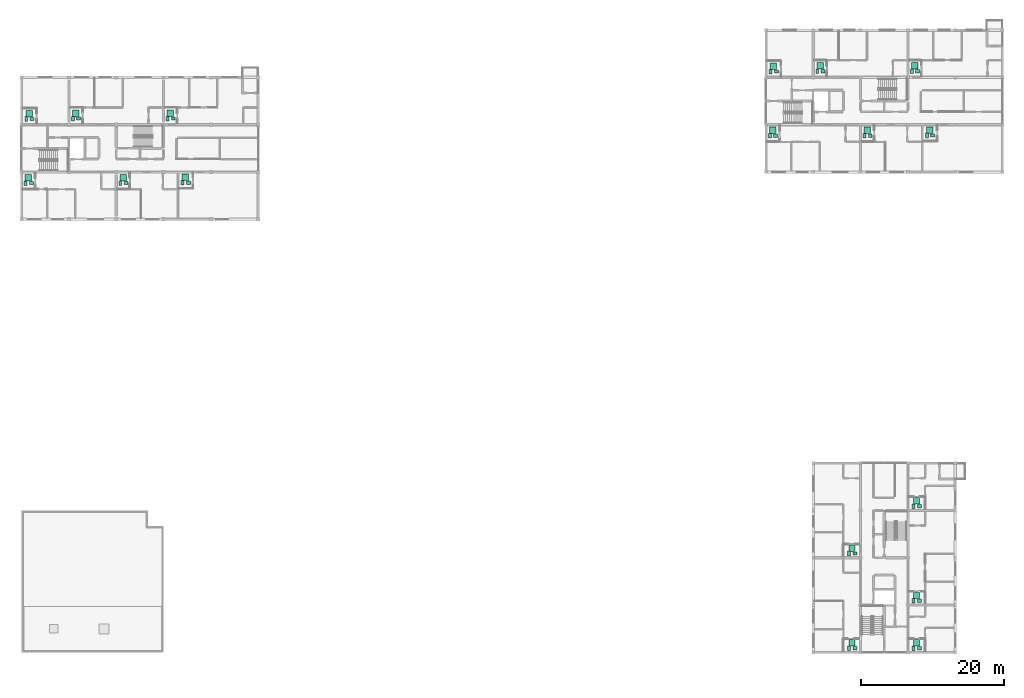
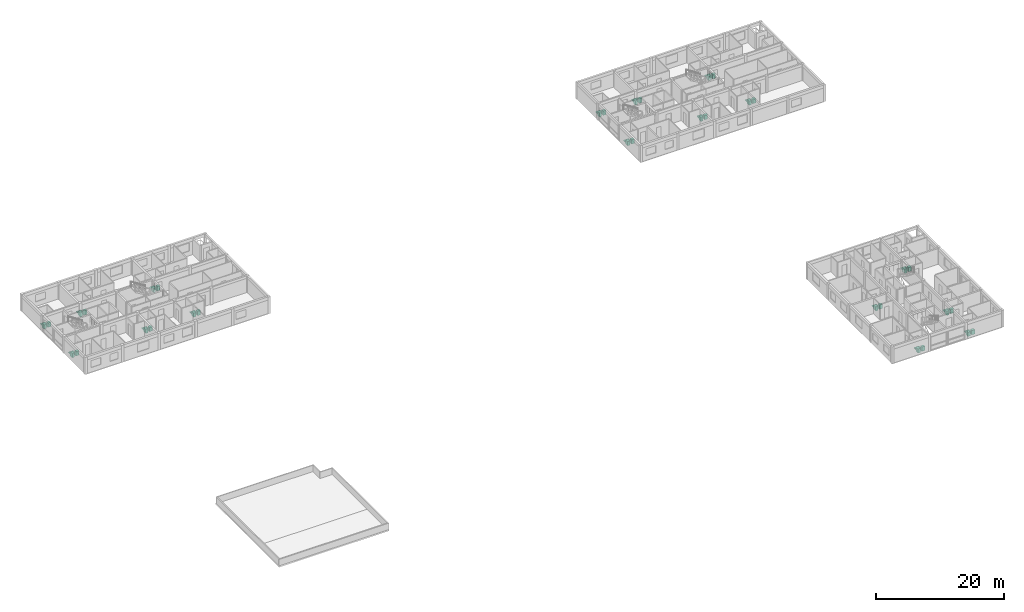
# One storey, part 34 of 34: 51 sanitary terminals.
"""IFC4 building model written with IfcOpenShell, lengths in metres."""

from ifc_helpers import new_model, si_unit, direction, frame, origin, origin_2d, place, context, subcontext, project, spatial, rectangle, extrude, material, type_object, element, save


model = new_model("IFC4")

# Units and contexts
model_context = context("Model", 3, precision=1e-05, world=origin(), true_north=direction((0.0, 1.0)))
body_context = subcontext(model_context, "Body", "Model", "MODEL_VIEW")
ifc_project = project(units=[si_unit("LENGTHUNIT", "METRE"), si_unit("AREAUNIT", "SQUARE_METRE"), si_unit("VOLUMEUNIT", "CUBIC_METRE"), si_unit("PLANEANGLEUNIT", "RADIAN"), si_unit("MASSUNIT", "GRAM", prefix="KILO")], contexts=[model_context])

# Site, building, storey
site_placement = place(None, origin())
site = spatial("IfcSite", under=ifc_project, at=site_placement, CompositionType="ELEMENT")
building_placement = place(site_placement, origin())
building = spatial("IfcBuilding", under=site, at=building_placement, Name="Kernevlak Ridge Housing Community", CompositionType="ELEMENT")
storey_placement = place(building_placement, frame((0.0, 0.0, 34.0)))
storey = spatial("IfcBuildingStorey", under=building, at=storey_placement, Name="L10", CompositionType="ELEMENT", Elevation=34.0)

# Sanitary terminals
ifc_material_1 = material(Name="Vitreous china ceramic")
sanitary_terminal_type_1 = type_object("IfcSanitaryTerminalType", Name="SN-BS", PredefinedType="WASHHANDBASIN", material=ifc_material_1)
for number, where, z_axis, x_axis, name in (
    (1, (16.949951171875, 81.050048828125, 0.0), (0.0, 0.0, 1.0), (1.0, 0.0, 0.0), "Washhand basin 55"),
    (2, (30.14990234375, 81.050048828125, 0.0), (0.0, 0.0, 1.0), (1.0, 0.0, 0.0), "Washhand basin 56"),
    (3, (38.85009765625, 81.10009765625, 0.0), (0.0, 0.0, 1.0), (1.0, 0.0, 0.0), "Washhand basin 57"),
    (4, (17.050048828125, 90.0, 0.0), (0.0, 0.0, 1.0), (1.0, 0.0, 0.0), "Washhand basin 58"),
    (5, (23.550048828125, 90.050048828125, 0.0), (0.0, 0.0, 1.0), (1.0, 0.0, 0.0), "Washhand basin 59"),
    (6, (36.75, 90.050048828125, 0.0), (0.0, 0.0, 1.0), (1.0, 0.0, 0.0), "Washhand basin 60"),
    (7, (120.75, 87.64990234375, 0.0), (0.0, 0.0, 1.0), (1.0, 0.0, 0.0), "Washhand basin 152"),
    (8, (133.949951171875, 87.64990234375, 0.0), (0.0, 0.0, 1.0), (1.0, 0.0, 0.0), "Washhand basin 153"),
    (9, (142.64990234375, 87.699951171875, 0.0), (0.0, 0.0, 1.0), (1.0, 0.0, 0.0), "Washhand basin 154"),
    (10, (120.85009765625, 96.60009765625, 0.0), (0.0, 0.0, 1.0), (1.0, 0.0, 0.0), "Washhand basin 155"),
    (11, (127.35009765625, 96.64990234375, 0.0), (0.0, 0.0, 1.0), (1.0, 0.0, 0.0), "Washhand basin 156"),
    (12, (140.550048828125, 96.64990234375, 0.0), (0.0, 0.0, 1.0), (1.0, 0.0, 0.0), "Washhand basin 157"),
    (13, (131.800048828125, 16.199951171875, 0.0), (0.0, 0.0, 1.0), (1.0, 0.0, 0.0), "Washhand basin 232"),
    (14, (131.800048828125, 29.39990234375, 0.0), (0.0, 0.0, 1.0), (1.0, 0.0, 0.0), "Washhand basin 233"),
    (15, (140.800048828125, 16.199951171875, 0.0), (0.0, 0.0, 1.0), (1.0, 0.0, 0.0), "Washhand basin 234"),
    (16, (140.800048828125, 22.800048828125, 0.0), (0.0, 0.0, 1.0), (1.0, 0.0, 0.0), "Washhand basin 235"),
    (17, (140.800048828125, 36.0, 0.0), (0.0, 0.0, 1.0), (1.0, 0.0, 0.0), "Washhand basin 236"),
):
    element("IfcSanitaryTerminal", number, at=place(storey_placement, frame(where, z_axis=z_axis, x_axis=x_axis)), inside=storey, type_object=sanitary_terminal_type_1, Name=name, PredefinedType="WASHHANDBASIN", context=body_context, shape_type="SweptSolid", body=[
        extrude(rectangle(XDim=0.550048828125, YDim=0.449951171875, at=origin_2d()), origin(), (0.0, 0.0, 1.0), 0.820068359375),
    ])
ifc_material_2 = material(Name="Glazed porcelain ceramic")
sanitary_terminal_type_2 = type_object("IfcSanitaryTerminalType", Name="SN-SH", PredefinedType="SHOWER", material=ifc_material_2)
for number, where, z_axis, x_axis, name in (
    (18, (16.550048828125, 81.800048828125, 0.0), (0.0, 0.0, 1.0), (1.0, 0.0, 0.0), "Shower tray 55"),
    (19, (29.75, 81.800048828125, 0.0), (0.0, 0.0, 1.0), (1.0, 0.0, 0.0), "Shower tray 56"),
    (20, (38.449951171875, 81.85009765625, 0.0), (0.0, 0.0, 1.0), (1.0, 0.0, 0.0), "Shower tray 57"),
    (21, (16.64990234375, 90.75, 0.0), (0.0, 0.0, 1.0), (1.0, 0.0, 0.0), "Shower tray 58"),
    (22, (23.14990234375, 90.800048828125, 0.0), (0.0, 0.0, 1.0), (1.0, 0.0, 0.0), "Shower tray 59"),
    (23, (36.35009765625, 90.800048828125, 0.0), (0.0, 0.0, 1.0), (1.0, 0.0, 0.0), "Shower tray 60"),
    (24, (120.35009765625, 88.39990234375, 0.0), (0.0, 0.0, 1.0), (1.0, 0.0, 0.0), "Shower tray 152"),
    (25, (133.550048828125, 88.39990234375, 0.0), (0.0, 0.0, 1.0), (1.0, 0.0, 0.0), "Shower tray 153"),
    (26, (142.25, 88.449951171875, 0.0), (0.0, 0.0, 1.0), (1.0, 0.0, 0.0), "Shower tray 154"),
    (27, (120.449951171875, 97.35009765625, 0.0), (0.0, 0.0, 1.0), (1.0, 0.0, 0.0), "Shower tray 155"),
    (28, (126.949951171875, 97.39990234375, 0.0), (0.0, 0.0, 1.0), (1.0, 0.0, 0.0), "Shower tray 156"),
    (29, (140.14990234375, 97.39990234375, 0.0), (0.0, 0.0, 1.0), (1.0, 0.0, 0.0), "Shower tray 157"),
    (30, (131.39990234375, 16.949951171875, 0.0), (0.0, 0.0, 1.0), (1.0, 0.0, 0.0), "Shower tray 232"),
    (31, (131.39990234375, 30.14990234375, 0.0), (0.0, 0.0, 1.0), (1.0, 0.0, 0.0), "Shower tray 233"),
    (32, (140.39990234375, 16.949951171875, 0.0), (0.0, 0.0, 1.0), (1.0, 0.0, 0.0), "Shower tray 234"),
    (33, (140.39990234375, 23.550048828125, 0.0), (0.0, 0.0, 1.0), (1.0, 0.0, 0.0), "Shower tray 235"),
    (34, (140.39990234375, 36.75, 0.0), (0.0, 0.0, 1.0), (1.0, 0.0, 0.0), "Shower tray 236"),
):
    element("IfcSanitaryTerminal", number, at=place(storey_placement, frame(where, z_axis=z_axis, x_axis=x_axis)), inside=storey, type_object=sanitary_terminal_type_2, Name=name, PredefinedType="SHOWER", context=body_context, shape_type="SweptSolid", body=[
        extrude(rectangle(XDim=0.89990234375, YDim=0.89990234375, at=origin_2d()), origin(), (0.0, 0.0, 1.0), 0.1201171875),
    ])
sanitary_terminal_type_3 = type_object("IfcSanitaryTerminalType", Name="SN-WC", PredefinedType="TOILETPAN", material=ifc_material_1)
for number, where, z_axis, x_axis, name in (
    (35, (16.14990234375, 81.050048828125, 0.0), (0.0, 0.0, 1.0), (1.0, 0.0, 0.0), "WC pan 55"),
    (36, (29.35009765625, 81.050048828125, 0.0), (0.0, 0.0, 1.0), (1.0, 0.0, 0.0), "WC pan 56"),
    (37, (38.050048828125, 81.10009765625, 0.0), (0.0, 0.0, 1.0), (1.0, 0.0, 0.0), "WC pan 57"),
    (38, (16.25, 90.0, 0.0), (0.0, 0.0, 1.0), (1.0, 0.0, 0.0), "WC pan 58"),
    (39, (22.75, 90.050048828125, 0.0), (0.0, 0.0, 1.0), (1.0, 0.0, 0.0), "WC pan 59"),
    (40, (35.949951171875, 90.050048828125, 0.0), (0.0, 0.0, 1.0), (1.0, 0.0, 0.0), "WC pan 60"),
    (41, (119.949951171875, 87.64990234375, 0.0), (0.0, 0.0, 1.0), (1.0, 0.0, 0.0), "WC pan 152"),
    (42, (133.14990234375, 87.64990234375, 0.0), (0.0, 0.0, 1.0), (1.0, 0.0, 0.0), "WC pan 153"),
    (43, (141.85009765625, 87.699951171875, 0.0), (0.0, 0.0, 1.0), (1.0, 0.0, 0.0), "WC pan 154"),
    (44, (120.050048828125, 96.60009765625, 0.0), (0.0, 0.0, 1.0), (1.0, 0.0, 0.0), "WC pan 155"),
    (45, (126.550048828125, 96.64990234375, 0.0), (0.0, 0.0, 1.0), (1.0, 0.0, 0.0), "WC pan 156"),
    (46, (139.75, 96.64990234375, 0.0), (0.0, 0.0, 1.0), (1.0, 0.0, 0.0), "WC pan 157"),
    (47, (131.0, 16.199951171875, 0.0), (0.0, 0.0, 1.0), (1.0, 0.0, 0.0), "WC pan 232"),
    (48, (131.0, 29.39990234375, 0.0), (0.0, 0.0, 1.0), (1.0, 0.0, 0.0), "WC pan 233"),
    (49, (140.0, 16.199951171875, 0.0), (0.0, 0.0, 1.0), (1.0, 0.0, 0.0), "WC pan 234"),
    (50, (140.0, 22.800048828125, 0.0), (0.0, 0.0, 1.0), (1.0, 0.0, 0.0), "WC pan 235"),
    (51, (140.0, 36.0, 0.0), (0.0, 0.0, 1.0), (1.0, 0.0, 0.0), "WC pan 236"),
):
    element("IfcSanitaryTerminal", number, at=place(storey_placement, frame(where, z_axis=z_axis, x_axis=x_axis)), inside=storey, type_object=sanitary_terminal_type_3, Name=name, PredefinedType="TOILETPAN", context=body_context, shape_type="SweptSolid", body=[
        extrude(rectangle(XDim=0.39990234375, YDim=0.64990234375, at=origin_2d()), origin(), (0.0, 0.0, 1.0), 0.780029296875),
    ])

save(model, "model.ifc")
